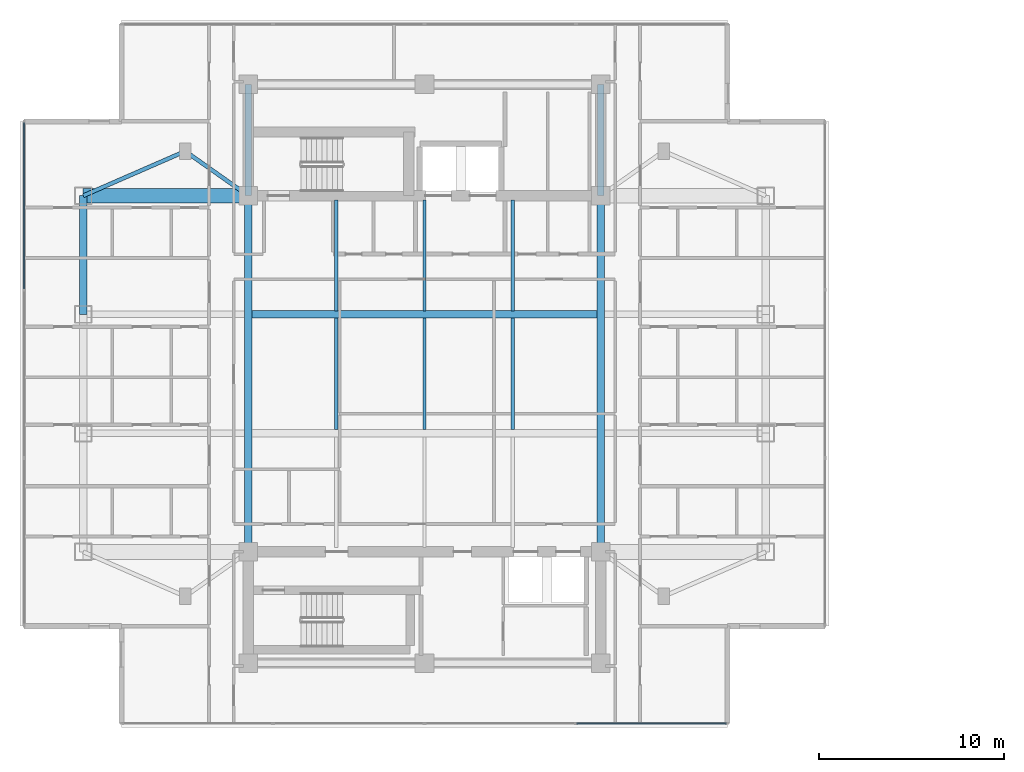
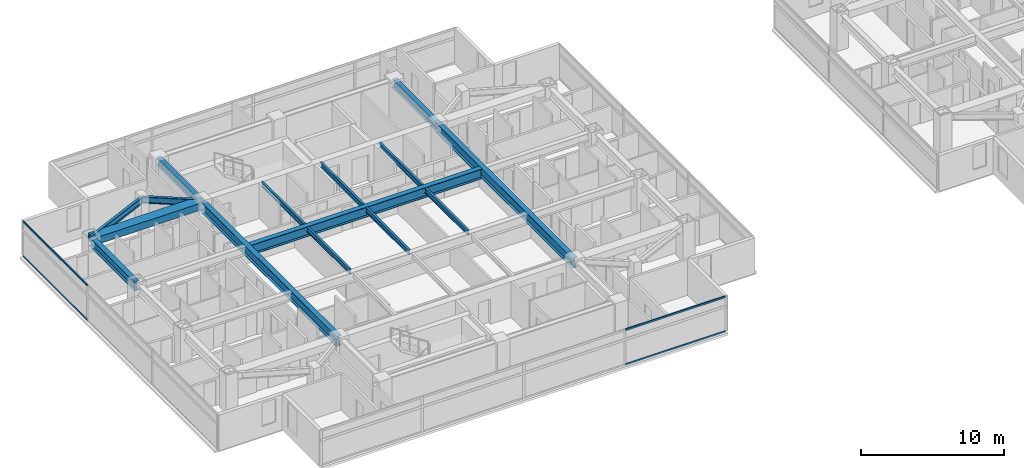
# One storey, part 3 of 25: 15 beams, 4 members, 2 elements without a shape of their own.
"""IFC4 building model written with IfcOpenShell, lengths in metres."""

from ifc_helpers import new_model, si_unit, direction, frame, origin, origin_2d, place, context, subcontext, project, spatial, rectangle, i_section, extrude, material, material_profile, profile_set, type_object, element, aggregate, save


model = new_model("IFC4")

# Units and contexts
model_context = context("Model", 3, precision=1e-05, world=origin(), true_north=direction((0.0, 1.0)))
body_context = subcontext(model_context, "Body", "Model", "MODEL_VIEW")
ifc_project = project(units=[si_unit("LENGTHUNIT", "METRE"), si_unit("AREAUNIT", "SQUARE_METRE"), si_unit("VOLUMEUNIT", "CUBIC_METRE"), si_unit("PLANEANGLEUNIT", "RADIAN"), si_unit("MASSUNIT", "GRAM", prefix="KILO")], contexts=[model_context])

# Site, building, storey
site_placement = place(None, origin())
site = spatial("IfcSite", under=ifc_project, at=site_placement, CompositionType="ELEMENT")
building_placement = place(site_placement, origin())
building = spatial("IfcBuilding", under=site, at=building_placement, Name="Mirazonda Arch Towers", CompositionType="ELEMENT")
storey_placement = place(building_placement, frame((0.0, 0.0, 177.14990234375)))
storey = spatial("IfcBuildingStorey", under=building, at=storey_placement, Name="L50", CompositionType="ELEMENT", Elevation=177.14990234375)

# Beams
ifc_material_1 = material(Name="Steel ASTM A992 Grade 50", Category="steel")
ifc_material_profile_1 = material_profile(ifc_material_1, i_section(OverallWidth=0.381103515625, OverallDepth=0.77294921875, WebThickness=0.0166015625, FlangeThickness=0.027099609375, at=origin_2d()), Name="W30X173")
ifc_profile_set_1 = profile_set([ifc_material_profile_1], Name="Steel ASTM A992 Grade 50")
beam_type_1 = type_object("IfcBeamType", Name="BM-EXT-W30X173", PredefinedType="USERDEFINED", material=ifc_profile_set_1)
beam_1_placement = place(storey_placement, frame((2.10009765625, 31.199951171875, 2.66357421875), z_axis=(0.0, 1.0, 0.0), x_axis=(-1.0, 0.0, 0.0)))
element("IfcBeam", 1, at=beam_1_placement, inside=storey, type_object=beam_type_1, Name="L50 Floor Beam BM-T1-L50-NS-W-31", ObjectType="GIRDER", PredefinedType="USERDEFINED", context=body_context, shape_type="SweptSolid", body=[
    extrude(i_section(OverallWidth=0.381103515625, OverallDepth=0.77294921875, WebThickness=0.0166015625, FlangeThickness=0.027099609375, at=origin_2d()), origin(), (0.0, 0.0, 1.0), 6.400146484375),
])
ifc_material_profile_2 = material_profile(ifc_material_1, i_section(OverallWidth=0.180908203125, OverallDepth=0.4169921875, WebThickness=0.010986328125, FlangeThickness=0.018310546875, at=origin_2d()), Name="W16X57")
ifc_profile_set_2 = profile_set([ifc_material_profile_2], Name="Steel ASTM A992 Grade 50")
beam_type_2 = type_object("IfcBeamType", Name="BM-INT-W16X57", PredefinedType="JOIST", material=ifc_profile_set_2)
beam_2_placement = place(storey_placement, frame((15.75, 31.39599609375, 2.841552734375), z_axis=(0.0, 1.0, 0.0), x_axis=(-1.0, 0.0, 0.0)))
element("IfcBeam", 2, at=beam_2_placement, inside=storey, type_object=beam_type_2, Name="L50 Floor Beam BM-T1-L50-J-157-31", PredefinedType="JOIST", context=body_context, shape_type="SweptSolid", body=[
    extrude(i_section(OverallWidth=0.180908203125, OverallDepth=0.4169921875, WebThickness=0.010986328125, FlangeThickness=0.018310546875, at=origin_2d()), origin(), (0.0, 0.0, 1.0), 5.964111328125),
])
beam_3_placement = place(storey_placement, frame((15.75, 24.99609375, 2.841552734375), z_axis=(0.0, 1.0, 0.0), x_axis=(-1.0, 0.0, 0.0)))
element("IfcBeam", 3, at=beam_3_placement, inside=storey, type_object=beam_type_2, Name="L50 Floor Beam BM-T1-L50-J-157-24", PredefinedType="JOIST", context=body_context, shape_type="SweptSolid", body=[
    extrude(i_section(OverallWidth=0.180908203125, OverallDepth=0.4169921875, WebThickness=0.010986328125, FlangeThickness=0.018310546875, at=origin_2d()), origin(), (0.0, 0.0, 1.0), 6.0078125),
])
beam_4_placement = place(storey_placement, frame((20.5, 31.39599609375, 2.841552734375), z_axis=(0.0, 1.0, 0.0), x_axis=(-1.0, 0.0, 0.0)))
element("IfcBeam", 4, at=beam_4_placement, inside=storey, type_object=beam_type_2, Name="L50 Floor Beam BM-T1-L50-J-205-31", PredefinedType="JOIST", context=body_context, shape_type="SweptSolid", body=[
    extrude(i_section(OverallWidth=0.180908203125, OverallDepth=0.4169921875, WebThickness=0.010986328125, FlangeThickness=0.018310546875, at=origin_2d()), origin(), (0.0, 0.0, 1.0), 5.964111328125),
])
beam_5_placement = place(storey_placement, frame((20.5, 24.99609375, 2.841552734375), z_axis=(0.0, 1.0, 0.0), x_axis=(-1.0, 0.0, 0.0)))
element("IfcBeam", 5, at=beam_5_placement, inside=storey, type_object=beam_type_2, Name="L50 Floor Beam BM-T1-L50-J-205-24", PredefinedType="JOIST", context=body_context, shape_type="SweptSolid", body=[
    extrude(i_section(OverallWidth=0.180908203125, OverallDepth=0.4169921875, WebThickness=0.010986328125, FlangeThickness=0.018310546875, at=origin_2d()), origin(), (0.0, 0.0, 1.0), 6.0078125),
])
beam_6_placement = place(storey_placement, frame((25.25, 31.39599609375, 2.841552734375), z_axis=(0.0, 1.0, 0.0), x_axis=(-1.0, 0.0, 0.0)))
element("IfcBeam", 6, at=beam_6_placement, inside=storey, type_object=beam_type_2, Name="L50 Floor Beam BM-T1-L50-J-252-31", PredefinedType="JOIST", context=body_context, shape_type="SweptSolid", body=[
    extrude(i_section(OverallWidth=0.180908203125, OverallDepth=0.4169921875, WebThickness=0.010986328125, FlangeThickness=0.018310546875, at=origin_2d()), origin(), (0.0, 0.0, 1.0), 5.964111328125),
])
beam_7_placement = place(storey_placement, frame((25.25, 24.99609375, 2.841552734375), z_axis=(0.0, 1.0, 0.0), x_axis=(-1.0, 0.0, 0.0)))
element("IfcBeam", 7, at=beam_7_placement, inside=storey, type_object=beam_type_2, Name="L50 Floor Beam BM-T1-L50-J-252-24", PredefinedType="JOIST", context=body_context, shape_type="SweptSolid", body=[
    extrude(i_section(OverallWidth=0.180908203125, OverallDepth=0.4169921875, WebThickness=0.010986328125, FlangeThickness=0.018310546875, at=origin_2d()), origin(), (0.0, 0.0, 1.0), 6.0078125),
])
ifc_material_profile_3 = material_profile(ifc_material_1, i_section(OverallWidth=0.214111328125, OverallDepth=0.549072265625, WebThickness=0.0146484375, FlangeThickness=0.023681640625, at=origin_2d()), Name="W21X93")
ifc_profile_set_3 = profile_set([ifc_material_profile_3], Name="Steel ASTM A992 Grade 50")
beam_type_3 = type_object("IfcBeamType", Name="BM-INT-W21X93", PredefinedType="BEAM", material=ifc_profile_set_3)
beam_8_placement = place(storey_placement, frame((7.60009765625, 40.0, 2.775634765625), z_axis=(0.816971114901, -0.576678591087, 0.0), x_axis=(0.576678591087, 0.816971114901, 0.0)))
element("IfcBeam", 8, at=beam_8_placement, inside=storey, type_object=beam_type_3, Name="L50 Floor Beam BM-T1-L50-PL-NW1", PredefinedType="BEAM", context=body_context, shape_type="SweptSolid", body=[
    extrude(i_section(OverallWidth=0.214111328125, OverallDepth=0.549072265625, WebThickness=0.0146484375, FlangeThickness=0.023681640625, at=origin_2d()), origin(), (0.0, 0.0, 1.0), 4.16162109375),
])
beam_9_placement = place(storey_placement, frame((7.60009765625, 40.0, 2.775634765625), z_axis=(-0.916545343703, -0.399930785183, 0.0), x_axis=(0.399930785183, -0.916545343703, 0.0)))
element("IfcBeam", 9, at=beam_9_placement, inside=storey, type_object=beam_type_3, Name="L50 Floor Beam BM-T1-L50-PL-NW2", PredefinedType="BEAM", context=body_context, shape_type="SweptSolid", body=[
    extrude(i_section(OverallWidth=0.214111328125, OverallDepth=0.549072265625, WebThickness=0.0146484375, FlangeThickness=0.023681640625, at=origin_2d()), origin(), (0.0, 0.0, 1.0), 6.000732421875),
])
ifc_material_profile_4 = material_profile(ifc_material_1, i_section(OverallWidth=0.35498046875, OverallDepth=0.696044921875, WebThickness=0.015380859375, FlangeThickness=0.02490234375, at=origin_2d()), Name="W27X146")
ifc_profile_set_4 = profile_set([ifc_material_profile_4], Name="Steel ASTM A992 Grade 50")
beam_type_4 = type_object("IfcBeamType", Name="BM-INT-W27X146", PredefinedType="BEAM", material=ifc_profile_set_4)
for number, where, z_axis, x_axis, name in (
    (10, (11.0, 37.60009765625, 2.7021484375), (0.0, 1.0, 0.0), (-1.0, 0.0, 0.0), "L50 Floor Beam BM-T1-L50-CNW"),
    (11, (30.0, 37.60009765625, 2.7021484375), (0.0, 1.0, 0.0), (-1.0, 0.0, 0.0), "L50 Floor Beam BM-T1-L50-CNE"),
):
    element("IfcBeam", number, at=place(storey_placement, frame(where, z_axis=z_axis, x_axis=x_axis)), inside=storey, type_object=beam_type_4, Name=name, PredefinedType="BEAM", context=body_context, shape_type="SweptSolid", body=[
        extrude(i_section(OverallWidth=0.35498046875, OverallDepth=0.696044921875, WebThickness=0.015380859375, FlangeThickness=0.02490234375, at=origin_2d()), origin(), (0.0, 0.0, 1.0), 6.0),
    ])
ifc_material_profile_5 = material_profile(ifc_material_1, i_section(OverallWidth=0.39990234375, OverallDepth=0.85595703125, WebThickness=0.018310546875, FlangeThickness=0.029296875, at=origin_2d()), Name="W33X201")
ifc_profile_set_5 = profile_set([ifc_material_profile_5], Name="Steel ASTM A992 Grade 50")
beam_type_5 = type_object("IfcBeamType", Name="BM-INT-W33X201", PredefinedType="USERDEFINED", material=ifc_profile_set_5)
beam_10_placement = place(storey_placement, frame((11.199951171875, 31.199951171875, 2.6220703125), z_axis=(1.0, 0.0, 0.0), x_axis=(0.0, 1.0, 0.0)))
element("IfcBeam", 12, at=beam_10_placement, inside=storey, type_object=beam_type_5, Name="L50 Floor Beam BM-T1-L50-GC3", ObjectType="GIRDER", PredefinedType="USERDEFINED", context=body_context, shape_type="SweptSolid", body=[
    extrude(i_section(OverallWidth=0.39990234375, OverallDepth=0.85595703125, WebThickness=0.018310546875, FlangeThickness=0.029296875, at=origin_2d()), origin(), (0.0, 0.0, 1.0), 18.60009765625),
])
for number, where, z_axis, x_axis, name in (
    (13, (11.0, 18.39990234375, 2.6220703125), (0.0, 1.0, 0.0), (-1.0, 0.0, 0.0), "L50 Floor Beam BM-T1-L50-NS-CW-FULL"),
    (14, (30.0, 18.39990234375, 2.6220703125), (0.0, 1.0, 0.0), (-1.0, 0.0, 0.0), "L50 Floor Beam BM-T1-L50-NS-CE-FULL"),
):
    element("IfcBeam", number, at=place(storey_placement, frame(where, z_axis=z_axis, x_axis=x_axis)), inside=storey, type_object=beam_type_5, Name=name, ObjectType="GIRDER", PredefinedType="USERDEFINED", context=body_context, shape_type="SweptSolid", body=[
        extrude(i_section(OverallWidth=0.39990234375, OverallDepth=0.85595703125, WebThickness=0.018310546875, FlangeThickness=0.029296875, at=origin_2d()), origin(), (0.0, 0.0, 1.0), 19.2001953125),
    ])
ifc_material_2 = material(Name="Concrete C60/75", Category="concrete")
ifc_material_profile_6 = material_profile(ifc_material_2, rectangle(XDim=0.800048828125, YDim=0.60009765625, at=origin_2d()), Name="RCCB800x600")
ifc_profile_set_6 = profile_set([ifc_material_profile_6], Name="Concrete C60/75")
beam_type_6 = type_object("IfcBeamType", Name="CB-INT-RCCB800x600", PredefinedType="SPANDREL", material=ifc_profile_set_6)
beam_11_placement = place(storey_placement, frame((2.10009765625, 37.60009765625, 2.75), z_axis=(1.0, 0.0, 0.0), x_axis=(0.0, 1.0, 0.0)))
element("IfcBeam", 15, at=beam_11_placement, inside=storey, type_object=beam_type_6, Name="L50 Floor Beam CBC-T1-L50-NW", PredefinedType="SPANDREL", context=body_context, shape_type="SweptSolid", body=[
    extrude(rectangle(XDim=0.800048828125, YDim=0.60009765625, at=origin_2d()), origin(), (0.0, 0.0, 1.0), 8.89990234375),
])

# Curtain wall, members
ifc_material_3 = material(Name="Anodised Aluminium and Low-E Glass", Category="aluminium")
curtain_wall_type = type_object("IfcCurtainWallType", Name="CW-RES-UNIT", PredefinedType="NOTDEFINED", material=ifc_material_3)
curtain_wall_1_placement = place(storey_placement, origin())
curtain_wall_1 = element("IfcCurtainWall", 16, at=curtain_wall_1_placement, inside=storey, type_object=curtain_wall_type, Name="L50 T1 S Facade CW-L50-T1-S", PredefinedType="NOTDEFINED")
ifc_material_4 = material(Name="Anodised Aluminium Alloy", Category="aluminium")
ifc_material_profile_7 = material_profile(ifc_material_4, rectangle(XDim=0.074951171875, YDim=0.155029296875, at=origin_2d()), Name="ALU-TRAN-75x155")
ifc_profile_set_7 = profile_set([ifc_material_profile_7], Name="Anodised Aluminium Alloy")
member_type = type_object("IfcMemberType", Name="TRAN-CW-RES-UNIT", PredefinedType="USERDEFINED", material=ifc_profile_set_7)
member_1_placement = place(storey_placement, frame((36.77001953125, 9.14404296875, 0.03759765625), z_axis=(-1.0, 0.0, 0.0), x_axis=(0.0, -1.0, 0.0)))
member_1 = element("IfcMember", 17, at=member_1_placement, type_object=member_type, Name="CW-104 transom 1.1", ObjectType="TRANSOM", PredefinedType="USERDEFINED", context=body_context, shape_type="SweptSolid", body=[
    extrude(rectangle(XDim=0.074951171875, YDim=0.155029296875, at=origin_2d()), origin(), (0.0, 0.0, 1.0), 8.06005859375),
])
member_2_placement = place(storey_placement, frame((36.77001953125, 9.14404296875, 2.99267578125), z_axis=(-1.0, 0.0, 0.0), x_axis=(0.0, -1.0, 0.0)))
member_2 = element("IfcMember", 18, at=member_2_placement, type_object=member_type, Name="CW-104 transom 1.2", ObjectType="TRANSOM", PredefinedType="USERDEFINED", context=body_context, shape_type="SweptSolid", body=[
    extrude(rectangle(XDim=0.074951171875, YDim=0.155029296875, at=origin_2d()), origin(), (0.0, 0.0, 1.0), 8.06005859375),
])
aggregate(curtain_wall_1, [member_1, member_2])

curtain_wall_2_placement = place(storey_placement, origin())
curtain_wall_2 = element("IfcCurtainWall", 19, at=curtain_wall_2_placement, inside=storey, type_object=curtain_wall_type, Name="L50 T1 W Facade CW-L50-T1-W", PredefinedType="NOTDEFINED")
member_3_placement = place(storey_placement, frame((-1.090087890625, 41.535888671875, 0.03759765625), z_axis=(0.0, -1.0, 0.0), x_axis=(1.0, 0.0, 0.0)))
member_3 = element("IfcMember", 20, at=member_3_placement, type_object=member_type, Name="CW-104 transom 1.1", ObjectType="TRANSOM", PredefinedType="USERDEFINED", context=body_context, shape_type="SweptSolid", body=[
    extrude(rectangle(XDim=0.074951171875, YDim=0.155029296875, at=origin_2d()), origin(), (0.0, 0.0, 1.0), 8.96142578125),
])
member_4_placement = place(storey_placement, frame((-1.090087890625, 41.535888671875, 2.99267578125), z_axis=(0.0, -1.0, 0.0), x_axis=(1.0, 0.0, 0.0)))
member_4 = element("IfcMember", 21, at=member_4_placement, type_object=member_type, Name="CW-104 transom 1.2", ObjectType="TRANSOM", PredefinedType="USERDEFINED", context=body_context, shape_type="SweptSolid", body=[
    extrude(rectangle(XDim=0.074951171875, YDim=0.155029296875, at=origin_2d()), origin(), (0.0, 0.0, 1.0), 8.96142578125),
])
aggregate(curtain_wall_2, [member_3, member_4])

save(model, "model.ifc")
